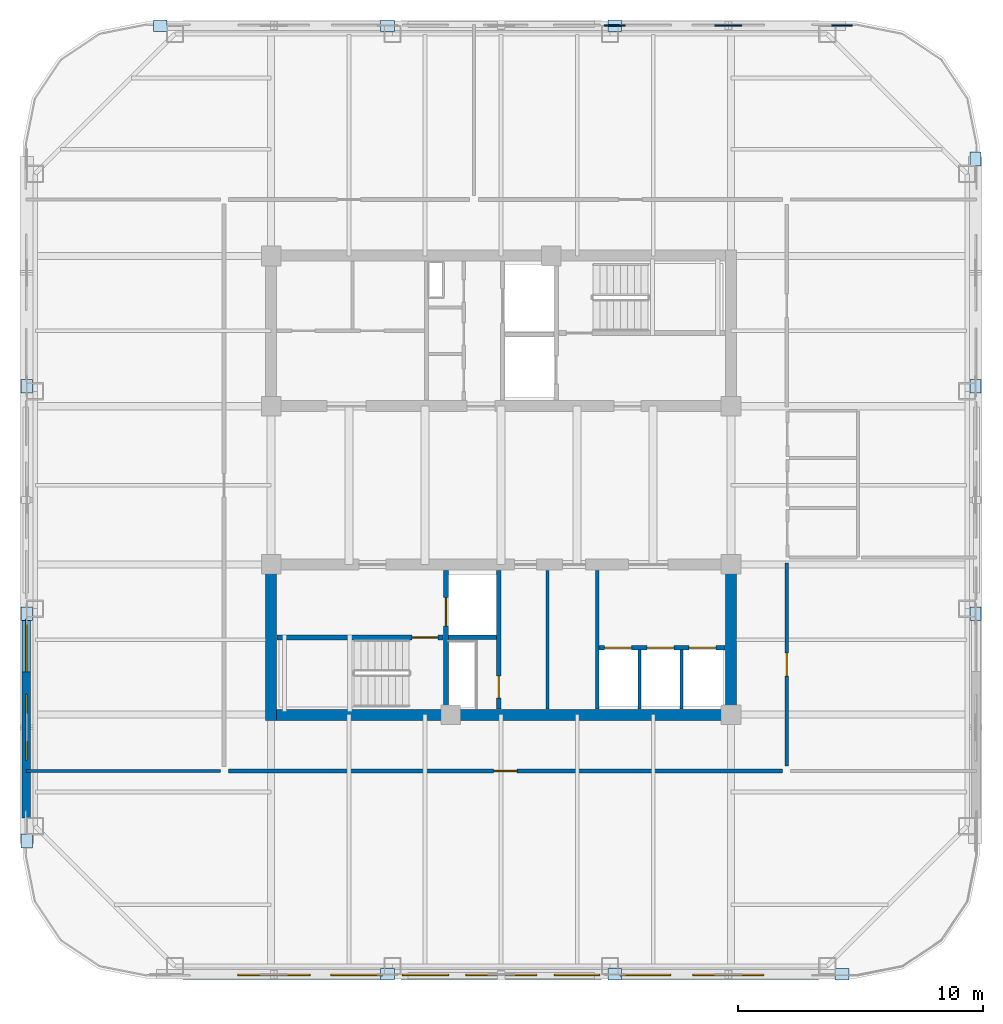
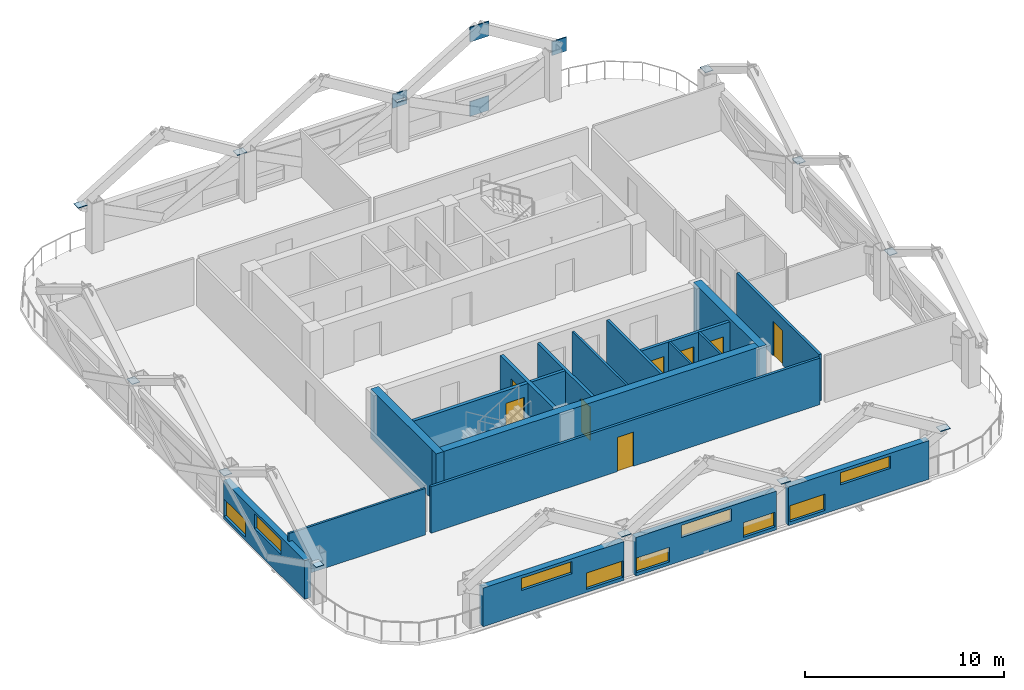
# One storey, part 3 of 9: 19 walls, 16 plates, 9 windows, 8 doors, 17 openings.
"""IFC4 building model written with IfcOpenShell, lengths in metres."""

from ifc_helpers import new_model, si_unit, direction, frame, frame_2d, origin, origin_2d, place, context, subcontext, project, spatial, rectangle, extrude, material, layer, layer_set, type_object, element, fill, save


model = new_model("IFC4")

# Units and contexts
model_context = context("Model", 3, precision=1e-05, world=origin(), true_north=direction((0.0, 1.0)))
body_context = subcontext(model_context, "Body", "Model", "MODEL_VIEW")
ifc_project = project(units=[si_unit("LENGTHUNIT", "METRE"), si_unit("AREAUNIT", "SQUARE_METRE"), si_unit("VOLUMEUNIT", "CUBIC_METRE"), si_unit("PLANEANGLEUNIT", "RADIAN"), si_unit("MASSUNIT", "GRAM", prefix="KILO")], contexts=[model_context])

# Site, building, storey
site_placement = place(None, origin())
site = spatial("IfcSite", under=ifc_project, at=site_placement, CompositionType="ELEMENT")
building_placement = place(site_placement, origin())
building = spatial("IfcBuilding", under=site, at=building_placement, Name="Qhalaya Broadcast Tower", CompositionType="ELEMENT")
storey_placement = place(building_placement, frame((0.0, 0.0, 205.60009765625)))
storey = spatial("IfcBuildingStorey", under=building, at=storey_placement, Name="L60", CompositionType="ELEMENT", Elevation=205.60009765625)

# Plates
ifc_material_1 = material(Name="Structural Steel ASTM A572 Grade 50", Category="steel")
ifc_layer_1 = layer(ifc_material_1, 0.054931640625, Name="Structural Steel ASTM A572 Grade 50")
ifc_layer_set_1 = layer_set([ifc_layer_1], Name="Structural Steel ASTM A572 Grade 50")
plate_type_1 = type_object("IfcPlateType", Name="Exoskeleton Diamond Node Gusset Plate NP-01", PredefinedType="USERDEFINED", material=ifc_layer_set_1)
for number, where, z_axis, x_axis, name in (
    (1, (9.2666015625, 19.340087890625, 0.2099609375), (0.0, 0.0, 1.0), (1.0, 0.0, 0.0), "Exoskeleton Diamond Node B5-N1-BOT"),
    (2, (9.2666015625, 19.340087890625, 4.780029296875), (0.0, 0.0, 1.0), (1.0, 0.0, 0.0), "Exoskeleton Diamond Node B5-N1-TOP"),
):
    element("IfcPlate", number, at=place(storey_placement, frame(where, z_axis=z_axis, x_axis=x_axis)), inside=storey, type_object=plate_type_1, Name=name, ObjectType="GUSSET_PLATE", PredefinedType="USERDEFINED", context=body_context, shape_type="SweptSolid", body=[
        extrude(rectangle(XDim=1.10009765625, YDim=0.054931640625, at=origin_2d()), origin(), (0.0, 0.0, 1.0), 0.89990234375),
    ])
for number, where, z_axis, x_axis, name in (
    (3, (13.89990234375, 19.340087890625, 2.27978515625), (0.0, 0.0, 1.0), (1.0, 0.0, 0.0), "Exoskeleton Diamond Node B5-N1-MDL"),
    (4, (4.63330078125, 19.340087890625, 2.27978515625), (0.0, 0.0, 1.0), (1.0, 0.0, 0.0), "Exoskeleton Diamond Node B5-N2-MDL"),
):
    element("IfcPlate", number, at=place(storey_placement, frame(where, z_axis=z_axis, x_axis=x_axis)), inside=storey, type_object=plate_type_1, Name=name, ObjectType="GUSSET_PLATE", PredefinedType="USERDEFINED", context=body_context, shape_type="SweptSolid", body=[
        extrude(rectangle(XDim=0.85009765625, YDim=0.054931640625, at=origin_2d()), origin(), (0.0, 0.0, 1.0), 0.85009765625),
    ])
ifc_layer_2 = layer(ifc_material_1, 0.4599609375, Name="Structural Steel ASTM A572 Grade 50")
ifc_layer_set_2 = layer_set([ifc_layer_2], Name="Structural Steel ASTM A572 Grade 50")
plate_type_2 = type_object("IfcPlateType", Name="Hollow Box Member End Cap Plate CP-01", PredefinedType="USERDEFINED", material=ifc_layer_set_2)
for number, where, z_axis, x_axis, name in (
    (5, (-4.63330078125, -19.340087890625, 2.68896484375), (0.0, 0.0, 1.0), (1.0, 0.0, 0.0), "Exoskeleton Hollow End Cap B5-S1"),
    (6, (4.63330078125, -19.340087890625, 2.68896484375), (0.0, 0.0, 1.0), (1.0, 0.0, 0.0), "Exoskeleton Hollow End Cap B5-S2"),
    (7, (13.89990234375, -19.340087890625, 2.68896484375), (0.0, 0.0, 1.0), (1.0, 0.0, 0.0), "Exoskeleton Hollow End Cap B5-S3"),
    (8, (19.340087890625, -4.63330078125, 2.68896484375), (0.0, 0.0, 1.0), (0.0, 1.0, 0.0), "Exoskeleton Hollow End Cap B5-E1"),
    (9, (19.340087890625, 4.63330078125, 2.68896484375), (0.0, 0.0, 1.0), (0.0, 1.0, 0.0), "Exoskeleton Hollow End Cap B5-E2"),
    (10, (19.340087890625, 13.89990234375, 2.68896484375), (0.0, 0.0, 1.0), (0.0, 1.0, 0.0), "Exoskeleton Hollow End Cap B5-E3"),
    (11, (4.63330078125, 19.340087890625, 2.68896484375), (0.0, 0.0, 1.0), (1.0, 0.0, 0.0), "Exoskeleton Hollow End Cap B5-N1"),
    (12, (-4.63330078125, 19.340087890625, 2.68896484375), (0.0, 0.0, 1.0), (1.0, 0.0, 0.0), "Exoskeleton Hollow End Cap B5-N2"),
    (13, (-13.89990234375, 19.340087890625, 2.68896484375), (0.0, 0.0, 1.0), (1.0, 0.0, 0.0), "Exoskeleton Hollow End Cap B5-N3"),
    (14, (-19.340087890625, 4.63330078125, 2.68896484375), (0.0, 0.0, 1.0), (0.0, 1.0, 0.0), "Exoskeleton Hollow End Cap B5-W1"),
    (15, (-19.340087890625, -4.63330078125, 2.68896484375), (0.0, 0.0, 1.0), (0.0, 1.0, 0.0), "Exoskeleton Hollow End Cap B5-W2"),
    (16, (-19.340087890625, -13.89990234375, 2.68896484375), (0.0, 0.0, 1.0), (0.0, 1.0, 0.0), "Exoskeleton Hollow End Cap B5-W3"),
):
    element("IfcPlate", number, at=place(storey_placement, frame(where, z_axis=z_axis, x_axis=x_axis)), inside=storey, type_object=plate_type_2, Name=name, ObjectType="COVER_PLATE", PredefinedType="USERDEFINED", context=body_context, shape_type="SweptSolid", body=[
        extrude(rectangle(XDim=0.56005859375, YDim=0.4599609375, at=origin_2d()), origin(), (0.0, 0.0, 1.0), 0.031982421875),
    ])

# Wall
ifc_material_2 = material(Name="Gypsum Acoustic Partition")
ifc_layer_3 = layer(ifc_material_2, 0.14990234375, Name="Gypsum Acoustic Partition")
ifc_layer_set_3 = layer_set([ifc_layer_3], Name="Gypsum Acoustic Partition")
wall_type_1 = type_object("IfcWallType", Name="Corridor & Tenancy Acoustic Partition 150", PredefinedType="PARTITIONING", material=ifc_layer_set_3)
wall_1_placement = place(storey_placement, frame((3.919921875, -8.530029296875, 0.0), z_axis=(0.0, 0.0, 1.0), x_axis=(0.0, 1.0, 0.0)))
element("IfcWall", 17, at=wall_1_placement, inside=storey, type_object=wall_type_1, Name="L60 Partition Wall SCW-HSEP", PredefinedType="PARTITIONING", context=body_context, shape_type="SweptSolid", body=[
    extrude(rectangle(XDim=5.659912109375, YDim=0.14990234375, at=frame_2d((2.830078125, 0.0))), origin(), (0.0, 0.0, 1.0), 2.85986328125),
])

# Wall, opening, door
wall_2_placement = place(storey_placement, frame((-11.1201171875, -11.050048828125, 0.0), z_axis=(0.0, 0.0, 1.0), x_axis=(1.0, 0.0, 0.0)))
wall_2 = element("IfcWall", 18, at=wall_2_placement, inside=storey, type_object=wall_type_1, Name="L60 Partition Wall W-COR-03", PredefinedType="PARTITIONING", context=body_context, shape_type="SweptSolid", body=[
    extrude(rectangle(XDim=22.590087890625, YDim=0.14990234375, at=frame_2d((11.294921875, 0.0))), origin(), (0.0, 0.0, 1.0), 2.85986328125),
])
opening_1_placement = place(wall_2_placement, frame((10.820068359375, 0.0, 0.0)))
opening_1 = element("IfcOpeningElement", 19, at=opening_1_placement, cuts=wall_2, Name="Opening D10", PredefinedType="OPENING", context=body_context, shape_type="SweptSolid", body=[
    extrude(rectangle(XDim=0.949951171875, YDim=2.10009765625, at=frame_2d((0.47509765625, 1.050048828125))), frame((0.0, 0.0869140625, 0.0), z_axis=(0.0, -1.0, 0.0), x_axis=(1.0, 0.0, 0.0)), (0.0, 0.0, 1.0), 0.173828125),
])
ifc_material_3 = material(Name="Timber Veneer Acoustic Door", Category="wood")
door_type_1 = type_object("IfcDoorType", Name="Cellular Office & Edit Booth Door D10", OperationType="NOTDEFINED", PredefinedType="DOOR", material=ifc_material_3)
door_1_placement = place(opening_1_placement, origin())
door_1 = element("IfcDoor", 20, at=door_1_placement, inside=storey, type_object=door_type_1, Name="L60 Door D-RM03", OperationType="SINGLE_SWING_RIGHT", OverallHeight=2.10009765625, OverallWidth=0.949951171875, PredefinedType="DOOR", context=body_context, shape_type="SweptSolid", body=[
    extrude(rectangle(XDim=0.949951171875, YDim=2.10009765625, at=frame_2d((0.47509765625, 1.050048828125))), frame((0.0, 0.02490234375, 0.0), z_axis=(0.0, -1.0, 0.0), x_axis=(1.0, 0.0, 0.0)), (0.0, 0.0, 1.0), 0.050048828125),
])
fill(opening_1, door_1)

wall_3_placement = place(storey_placement, frame((11.64990234375, -10.85009765625, 0.0), z_axis=(0.0, 0.0, 1.0), x_axis=(0.0, 1.0, 0.0)))
wall_3 = element("IfcWall", 21, at=wall_3_placement, inside=storey, type_object=wall_type_1, Name="L60 Partition Wall W-COR-05", PredefinedType="PARTITIONING", context=body_context, shape_type="SweptSolid", body=[
    extrude(rectangle(XDim=8.2900390625, YDim=0.14990234375, at=frame_2d((4.14501953125, 0.0))), origin(), (0.0, 0.0, 1.0), 2.85986328125),
])
opening_2_placement = place(wall_3_placement, frame((3.669921875, 0.0, 0.0)))
opening_2 = element("IfcOpeningElement", 22, at=opening_2_placement, cuts=wall_3, Name="Opening D10", PredefinedType="OPENING", context=body_context, shape_type="SweptSolid", body=[
    extrude(rectangle(XDim=0.949951171875, YDim=2.10009765625, at=frame_2d((0.47509765625, 1.050048828125))), frame((0.0, 0.0869140625, 0.0), z_axis=(0.0, -1.0, 0.0), x_axis=(1.0, 0.0, 0.0)), (0.0, 0.0, 1.0), 0.173828125),
])
door_2_placement = place(opening_2_placement, origin())
door_2 = element("IfcDoor", 23, at=door_2_placement, inside=storey, type_object=door_type_1, Name="L60 Door D-RM05", OperationType="SINGLE_SWING_RIGHT", OverallHeight=2.10009765625, OverallWidth=0.949951171875, PredefinedType="DOOR", context=body_context, shape_type="SweptSolid", body=[
    extrude(rectangle(XDim=0.949951171875, YDim=2.10009765625, at=frame_2d((0.47509765625, 1.050048828125))), frame((0.0, 0.02490234375, 0.0), z_axis=(0.0, -1.0, 0.0), x_axis=(1.0, 0.0, 0.0)), (0.0, 0.0, 1.0), 0.050048828125),
])
fill(opening_2, door_2)

# Wall, openings, windows
ifc_material_4 = material(Name="Precast Concrete C40/50", Category="concrete")
ifc_layer_4 = layer(ifc_material_4, 0.360107421875, Name="Precast Concrete C40/50")
ifc_layer_set_4 = layer_set([ifc_layer_4], Name="Precast Concrete C40/50")
wall_type_2 = type_object("IfcWallType", Name="Insulated Precast Terracotta Exterior Wall 360", PredefinedType="SOLIDWALL", material=ifc_layer_set_4)
wall_4_placement = place(storey_placement, frame((12.9619140625, -19.360107421875, 0.0), z_axis=(0.0, 0.0, 1.0), x_axis=(-1.0, 0.0, 0.0)))
wall_4 = element("IfcWall", 24, at=wall_4_placement, inside=storey, type_object=wall_type_2, Name="L60 Exoskeleton Diagrid Infill Wall S1", PredefinedType="SOLIDWALL", context=body_context, shape_type="SweptSolid", body=[
    extrude(rectangle(XDim=8.1787109375, YDim=0.360107421875, at=frame_2d((4.08935546875, 0.0))), origin(), (0.0, 0.0, 1.0), 2.3740234375),
])
opening_3_placement = place(wall_4_placement, frame((2.25, 0.0, 1.449951171875)))
opening_3 = element("IfcOpeningElement", 25, at=opening_3_placement, cuts=wall_4, Name="Opening W13", PredefinedType="OPENING", context=body_context, shape_type="SweptSolid", body=[
    extrude(rectangle(XDim=2.89990234375, YDim=0.75, at=frame_2d((1.449951171875, 0.375))), frame((0.0, 0.192138671875, 0.0), z_axis=(0.0, -1.0, 0.0), x_axis=(1.0, 0.0, 0.0)), (0.0, 0.0, 1.0), 0.384033203125),
])
opening_4_placement = place(wall_4_placement, frame((6.050048828125, 0.0, 0.199951171875)))
opening_4 = element("IfcOpeningElement", 26, at=opening_4_placement, cuts=wall_4, Name="Opening W13", PredefinedType="OPENING", context=body_context, shape_type="SweptSolid", body=[
    extrude(rectangle(XDim=2.050048828125, YDim=1.0, at=frame_2d((1.02490234375, 0.5))), frame((0.0, 0.192138671875, 0.0), z_axis=(0.0, -1.0, 0.0), x_axis=(1.0, 0.0, 0.0)), (0.0, 0.0, 1.0), 0.384033203125),
])
ifc_material_5 = material(Name="Solar-Control Low-E Triple Glazing", Category="glass")
window_type = type_object("IfcWindowType", Name="Upper-Block Diagrid Infill Window W13", PartitioningType="SINGLE_PANEL", PredefinedType="WINDOW", material=ifc_material_5)
window_1_placement = place(opening_3_placement, origin())
window_1 = element("IfcWindow", 27, at=window_1_placement, inside=storey, type_object=window_type, Name="L60 Diagrid Infill Window W13-S1", OverallHeight=0.75, OverallWidth=2.89990234375, PartitioningType="SINGLE_PANEL", PredefinedType="WINDOW", context=body_context, shape_type="SweptSolid", body=[
    extrude(rectangle(XDim=2.89990234375, YDim=0.75, at=frame_2d((1.449951171875, 0.375))), frame((0.0, 0.030029296875, 0.0), z_axis=(0.0, -1.0, 0.0), x_axis=(1.0, 0.0, 0.0)), (0.0, 0.0, 1.0), 0.06005859375),
])
fill(opening_3, window_1)
window_2_placement = place(opening_4_placement, origin())
window_2 = element("IfcWindow", 28, at=window_2_placement, inside=storey, type_object=window_type, Name="L60 Diagrid Infill Window W13-S2", OverallHeight=1.0, OverallWidth=2.050048828125, PartitioningType="SINGLE_PANEL", PredefinedType="WINDOW", context=body_context, shape_type="SweptSolid", body=[
    extrude(rectangle(XDim=2.050048828125, YDim=1.0, at=frame_2d((1.02490234375, 0.5))), frame((0.0, 0.030029296875, 0.0), z_axis=(0.0, -1.0, 0.0), x_axis=(1.0, 0.0, 0.0)), (0.0, 0.0, 1.0), 0.06005859375),
])
fill(opening_4, window_2)

wall_5_placement = place(storey_placement, frame((4.083251953125, -19.360107421875, 0.0), z_axis=(0.0, 0.0, 1.0), x_axis=(-1.0, 0.0, 0.0)))
wall_5 = element("IfcWall", 29, at=wall_5_placement, inside=storey, type_object=wall_type_2, Name="L60 Exoskeleton Diagrid Infill Wall S2", PredefinedType="SOLIDWALL", context=body_context, shape_type="SweptSolid", body=[
    extrude(rectangle(XDim=8.16650390625, YDim=0.360107421875, at=frame_2d((4.083251953125, 0.0))), origin(), (0.0, 0.0, 1.0), 2.3740234375),
])
opening_5_placement = place(wall_5_placement, frame((0.071044921875, 0.0, 0.199951171875)))
opening_5 = element("IfcOpeningElement", 30, at=opening_5_placement, cuts=wall_5, Name="Opening W13", PredefinedType="OPENING", context=body_context, shape_type="SweptSolid", body=[
    extrude(rectangle(XDim=1.85009765625, YDim=0.89990234375, at=frame_2d((0.925048828125, 0.449951171875))), frame((0.0, 0.192138671875, 0.0), z_axis=(0.0, -1.0, 0.0), x_axis=(1.0, 0.0, 0.0)), (0.0, 0.0, 1.0), 0.384033203125),
])
opening_6_placement = place(wall_5_placement, frame((2.62109375, 0.0, 1.449951171875)))
opening_6 = element("IfcOpeningElement", 31, at=opening_6_placement, cuts=wall_5, Name="Opening W13", PredefinedType="OPENING", context=body_context, shape_type="SweptSolid", body=[
    extrude(rectangle(XDim=2.89990234375, YDim=0.75, at=frame_2d((1.449951171875, 0.375))), frame((0.0, 0.192138671875, 0.0), z_axis=(0.0, -1.0, 0.0), x_axis=(1.0, 0.0, 0.0)), (0.0, 0.0, 1.0), 0.384033203125),
])
opening_7_placement = place(wall_5_placement, frame((6.220947265625, 0.0, 0.199951171875)))
opening_7 = element("IfcOpeningElement", 32, at=opening_7_placement, cuts=wall_5, Name="Opening W13", PredefinedType="OPENING", context=body_context, shape_type="SweptSolid", body=[
    extrude(rectangle(XDim=1.89990234375, YDim=0.89990234375, at=frame_2d((0.949951171875, 0.449951171875))), frame((0.0, 0.192138671875, 0.0), z_axis=(0.0, -1.0, 0.0), x_axis=(1.0, 0.0, 0.0)), (0.0, 0.0, 1.0), 0.384033203125),
])
window_3_placement = place(opening_5_placement, origin())
window_3 = element("IfcWindow", 33, at=window_3_placement, inside=storey, type_object=window_type, Name="L60 Diagrid Infill Window W13-S3", OverallHeight=0.89990234375, OverallWidth=1.85009765625, PartitioningType="SINGLE_PANEL", PredefinedType="WINDOW", context=body_context, shape_type="SweptSolid", body=[
    extrude(rectangle(XDim=1.85009765625, YDim=0.89990234375, at=frame_2d((0.925048828125, 0.449951171875))), frame((0.0, 0.030029296875, 0.0), z_axis=(0.0, -1.0, 0.0), x_axis=(1.0, 0.0, 0.0)), (0.0, 0.0, 1.0), 0.06005859375),
])
fill(opening_5, window_3)
window_4_placement = place(opening_6_placement, origin())
window_4 = element("IfcWindow", 34, at=window_4_placement, inside=storey, type_object=window_type, Name="L60 Diagrid Infill Window W13-S4", OverallHeight=0.75, OverallWidth=2.89990234375, PartitioningType="SINGLE_PANEL", PredefinedType="WINDOW", context=body_context, shape_type="SweptSolid", body=[
    extrude(rectangle(XDim=2.89990234375, YDim=0.75, at=frame_2d((1.449951171875, 0.375))), frame((0.0, 0.030029296875, 0.0), z_axis=(0.0, -1.0, 0.0), x_axis=(1.0, 0.0, 0.0)), (0.0, 0.0, 1.0), 0.06005859375),
])
fill(opening_6, window_4)
window_5_placement = place(opening_7_placement, origin())
window_5 = element("IfcWindow", 35, at=window_5_placement, inside=storey, type_object=window_type, Name="L60 Diagrid Infill Window W13-S5", OverallHeight=0.89990234375, OverallWidth=1.89990234375, PartitioningType="SINGLE_PANEL", PredefinedType="WINDOW", context=body_context, shape_type="SweptSolid", body=[
    extrude(rectangle(XDim=1.89990234375, YDim=0.89990234375, at=frame_2d((0.949951171875, 0.449951171875))), frame((0.0, 0.030029296875, 0.0), z_axis=(0.0, -1.0, 0.0), x_axis=(1.0, 0.0, 0.0)), (0.0, 0.0, 1.0), 0.06005859375),
])
fill(opening_7, window_5)

wall_6_placement = place(storey_placement, frame((-4.783203125, -19.360107421875, 0.0), z_axis=(0.0, 0.0, 1.0), x_axis=(-1.0, 0.0, 0.0)))
wall_6 = element("IfcWall", 36, at=wall_6_placement, inside=storey, type_object=wall_type_2, Name="L60 Exoskeleton Diagrid Infill Wall S3", PredefinedType="SOLIDWALL", context=body_context, shape_type="SweptSolid", body=[
    extrude(rectangle(XDim=8.1787109375, YDim=0.360107421875, at=frame_2d((4.08935546875, 0.0))), origin(), (0.0, 0.0, 1.0), 2.3740234375),
])
opening_8_placement = place(wall_6_placement, frame((0.054931640625, 0.0, 0.199951171875)))
opening_8 = element("IfcOpeningElement", 37, at=opening_8_placement, cuts=wall_6, Name="Opening W13", PredefinedType="OPENING", context=body_context, shape_type="SweptSolid", body=[
    extrude(rectangle(XDim=2.10009765625, YDim=1.0, at=frame_2d((1.050048828125, 0.5))), frame((0.0, 0.192138671875, 0.0), z_axis=(0.0, -1.0, 0.0), x_axis=(1.0, 0.0, 0.0)), (0.0, 0.0, 1.0), 0.384033203125),
])
opening_9_placement = place(wall_6_placement, frame((3.0048828125, 0.0, 1.449951171875)))
opening_9 = element("IfcOpeningElement", 38, at=opening_9_placement, cuts=wall_6, Name="Opening W13", PredefinedType="OPENING", context=body_context, shape_type="SweptSolid", body=[
    extrude(rectangle(XDim=2.949951171875, YDim=0.75, at=frame_2d((1.47509765625, 0.375))), frame((0.0, 0.192138671875, 0.0), z_axis=(0.0, -1.0, 0.0), x_axis=(1.0, 0.0, 0.0)), (0.0, 0.0, 1.0), 0.384033203125),
])
window_6_placement = place(opening_8_placement, origin())
window_6 = element("IfcWindow", 39, at=window_6_placement, inside=storey, type_object=window_type, Name="L60 Diagrid Infill Window W13-S6", OverallHeight=1.0, OverallWidth=2.10009765625, PartitioningType="SINGLE_PANEL", PredefinedType="WINDOW", context=body_context, shape_type="SweptSolid", body=[
    extrude(rectangle(XDim=2.10009765625, YDim=1.0, at=frame_2d((1.050048828125, 0.5))), frame((0.0, 0.030029296875, 0.0), z_axis=(0.0, -1.0, 0.0), x_axis=(1.0, 0.0, 0.0)), (0.0, 0.0, 1.0), 0.06005859375),
])
fill(opening_8, window_6)
window_7_placement = place(opening_9_placement, origin())
window_7 = element("IfcWindow", 40, at=window_7_placement, inside=storey, type_object=window_type, Name="L60 Diagrid Infill Window W13-S7", OverallHeight=0.75, OverallWidth=2.949951171875, PartitioningType="SINGLE_PANEL", PredefinedType="WINDOW", context=body_context, shape_type="SweptSolid", body=[
    extrude(rectangle(XDim=2.949951171875, YDim=0.75, at=frame_2d((1.47509765625, 0.375))), frame((0.0, 0.030029296875, 0.0), z_axis=(0.0, -1.0, 0.0), x_axis=(1.0, 0.0, 0.0)), (0.0, 0.0, 1.0), 0.06005859375),
])
fill(opening_9, window_7)

wall_7_placement = place(storey_placement, frame((-19.360107421875, -12.9619140625, 0.0), z_axis=(0.0, 0.0, 1.0), x_axis=(0.0, 1.0, 0.0)))
wall_7 = element("IfcWall", 41, at=wall_7_placement, inside=storey, type_object=wall_type_2, Name="L60 Exoskeleton Diagrid Infill Wall W1", PredefinedType="SOLIDWALL", context=body_context, shape_type="SweptSolid", body=[
    extrude(rectangle(XDim=8.1787109375, YDim=0.360107421875, at=frame_2d((4.08935546875, 0.0))), origin(), (0.0, 0.0, 1.0), 2.3740234375),
])
opening_10_placement = place(wall_7_placement, frame((2.35009765625, 0.0, 1.300048828125)))
opening_10 = element("IfcOpeningElement", 42, at=opening_10_placement, cuts=wall_7, Name="Opening W13", PredefinedType="OPENING", context=body_context, shape_type="SweptSolid", body=[
    extrude(rectangle(XDim=2.699951171875, YDim=0.89990234375, at=frame_2d((1.35009765625, 0.449951171875))), frame((0.0, 0.192138671875, 0.0), z_axis=(0.0, -1.0, 0.0), x_axis=(1.0, 0.0, 0.0)), (0.0, 0.0, 1.0), 0.384033203125),
])
opening_11_placement = place(wall_7_placement, frame((5.949951171875, 0.0, 0.199951171875)))
opening_11 = element("IfcOpeningElement", 43, at=opening_11_placement, cuts=wall_7, Name="Opening W13", PredefinedType="OPENING", context=body_context, shape_type="SweptSolid", body=[
    extrude(rectangle(XDim=2.14990234375, YDim=1.050048828125, at=frame_2d((1.074951171875, 0.52490234375))), frame((0.0, 0.192138671875, 0.0), z_axis=(0.0, -1.0, 0.0), x_axis=(1.0, 0.0, 0.0)), (0.0, 0.0, 1.0), 0.384033203125),
])
window_8_placement = place(opening_10_placement, origin())
window_8 = element("IfcWindow", 44, at=window_8_placement, inside=storey, type_object=window_type, Name="L60 Diagrid Infill Window W13-W1", OverallHeight=0.89990234375, OverallWidth=2.699951171875, PartitioningType="SINGLE_PANEL", PredefinedType="WINDOW", context=body_context, shape_type="SweptSolid", body=[
    extrude(rectangle(XDim=2.699951171875, YDim=0.89990234375, at=frame_2d((1.35009765625, 0.449951171875))), frame((0.0, 0.030029296875, 0.0), z_axis=(0.0, -1.0, 0.0), x_axis=(1.0, 0.0, 0.0)), (0.0, 0.0, 1.0), 0.06005859375),
])
fill(opening_10, window_8)
window_9_placement = place(opening_11_placement, origin())
window_9 = element("IfcWindow", 45, at=window_9_placement, inside=storey, type_object=window_type, Name="L60 Diagrid Infill Window W13-W2", OverallHeight=1.050048828125, OverallWidth=2.14990234375, PartitioningType="SINGLE_PANEL", PredefinedType="WINDOW", context=body_context, shape_type="SweptSolid", body=[
    extrude(rectangle(XDim=2.14990234375, YDim=1.050048828125, at=frame_2d((1.074951171875, 0.52490234375))), frame((0.0, 0.030029296875, 0.0), z_axis=(0.0, -1.0, 0.0), x_axis=(1.0, 0.0, 0.0)), (0.0, 0.0, 1.0), 0.06005859375),
])
fill(opening_11, window_9)

# Wall, opening, door
ifc_material_6 = material(Name="Concrete C50/60", Category="concrete")
ifc_layer_5 = layer(ifc_material_6, 0.199951171875, Name="Concrete C50/60")
ifc_layer_set_5 = layer_set([ifc_layer_5], Name="Concrete C50/60")
wall_type_3 = type_object("IfcWallType", Name="Load-Bearing Stair Shaft Wall 200", PredefinedType="SHEAR", material=ifc_layer_set_5)
wall_8_placement = place(storey_placement, frame((-9.1298828125, -5.60498046875, 0.0), z_axis=(0.0, 0.0, 1.0), x_axis=(1.0, 0.0, 0.0)))
wall_8 = element("IfcWall", 46, at=wall_8_placement, inside=storey, type_object=wall_type_3, Name="L60 Stair Core Shear Wall SCW-ST2", PredefinedType="SHEAR", context=body_context, shape_type="SweptSolid", body=[
    extrude(rectangle(XDim=6.769775390625, YDim=0.199951171875, at=frame_2d((3.384765625, 0.0))), origin(), (0.0, 0.0, 1.0), 2.85986328125),
])
opening_12_placement = place(wall_8_placement, frame((5.5, 0.0, 0.0)))
opening_12 = element("IfcOpeningElement", 47, at=opening_12_placement, cuts=wall_8, Name="Opening D03", PredefinedType="OPENING", context=body_context, shape_type="SweptSolid", body=[
    extrude(rectangle(XDim=1.050048828125, YDim=2.080078125, at=frame_2d((0.52490234375, 1.0400390625))), frame((0.0, 0.112060546875, 0.0), z_axis=(0.0, -1.0, 0.0), x_axis=(1.0, 0.0, 0.0)), (0.0, 0.0, 1.0), 0.223876953125),
])
ifc_material_7 = material(Name="Fire-Rated Steel Door", Category="steel")
door_type_2 = type_object("IfcDoorType", Name="Core Stair Protected Fire Door D03", OperationType="NOTDEFINED", PredefinedType="DOOR", material=ifc_material_7)
door_3_placement = place(opening_12_placement, origin())
door_3 = element("IfcDoor", 48, at=door_3_placement, inside=storey, type_object=door_type_2, Name="L60 Door D-SST2", OperationType="SINGLE_SWING_RIGHT", OverallHeight=2.080078125, OverallWidth=1.050048828125, PredefinedType="DOOR", context=body_context, shape_type="SweptSolid", body=[
    extrude(rectangle(XDim=1.050048828125, YDim=2.080078125, at=frame_2d((0.52490234375, 1.0400390625))), frame((0.0, 0.02490234375, 0.0), z_axis=(0.0, -1.0, 0.0), x_axis=(1.0, 0.0, 0.0)), (0.0, 0.0, 1.0), 0.050048828125),
])
fill(opening_12, door_3)

wall_9_placement = place(storey_placement, frame((-2.25, -8.530029296875, 0.0), z_axis=(0.0, 0.0, 1.0), x_axis=(0.0, 1.0, 0.0)))
wall_9 = element("IfcWall", 49, at=wall_9_placement, inside=storey, type_object=wall_type_3, Name="L60 Stair Core Shear Wall SCW-FF", PredefinedType="SHEAR", context=body_context, shape_type="SweptSolid", body=[
    extrude(rectangle(XDim=5.659912109375, YDim=0.199951171875, at=frame_2d((2.830078125, 0.0))), origin(), (0.0, 0.0, 1.0), 2.85986328125),
])
opening_13_placement = place(wall_9_placement, frame((3.39990234375, 0.0, 0.0)))
opening_13 = element("IfcOpeningElement", 50, at=opening_13_placement, cuts=wall_9, Name="Opening LD2", PredefinedType="OPENING", context=body_context, shape_type="SweptSolid", body=[
    extrude(rectangle(XDim=1.14990234375, YDim=2.080078125, at=frame_2d((0.574951171875, 1.0400390625))), frame((0.0, 0.112060546875, 0.0), z_axis=(0.0, -1.0, 0.0), x_axis=(1.0, 0.0, 0.0)), (0.0, 0.0, 1.0), 0.223876953125),
])
ifc_material_8 = material(Name="Brushed Stainless Steel Lift Door", Category="steel")
door_type_3 = type_object("IfcDoorType", Name="Firefighting Lift Sliding Landing Door LD2", OperationType="DOUBLE_DOOR_SLIDING", PredefinedType="DOOR", material=ifc_material_8)
door_4_placement = place(opening_13_placement, origin())
door_4 = element("IfcDoor", 51, at=door_4_placement, inside=storey, type_object=door_type_3, Name="L60 Door LD-FF2", OperationType="DOUBLE_DOOR_SLIDING", OverallHeight=2.080078125, OverallWidth=1.14990234375, PredefinedType="DOOR", context=body_context, shape_type="SweptSolid", body=[
    extrude(rectangle(XDim=1.14990234375, YDim=2.080078125, at=frame_2d((0.574951171875, 1.0400390625))), frame((0.0, 0.02490234375, 0.0), z_axis=(0.0, -1.0, 0.0), x_axis=(1.0, 0.0, 0.0)), (0.0, 0.0, 1.0), 0.050048828125),
])
fill(opening_13, door_4)

# Walls
ifc_layer_6 = layer(ifc_material_2, 0.1201171875, Name="Gypsum Acoustic Partition")
ifc_layer_set_6 = layer_set([ifc_layer_6], Name="Gypsum Acoustic Partition")
wall_type_4 = type_object("IfcWallType", Name="Office, Booth & Sanitary Partition 120", PredefinedType="PARTITIONING", material=ifc_layer_set_6)
wall_10_placement = place(storey_placement, frame((1.89990234375, -8.530029296875, 0.0), z_axis=(0.0, 0.0, 1.0), x_axis=(0.0, 1.0, 0.0)))
element("IfcWall", 52, at=wall_10_placement, inside=storey, type_object=wall_type_4, Name="L60 Partition Wall SCW-RKB", PredefinedType="PARTITIONING", context=body_context, shape_type="SweptSolid", body=[
    extrude(rectangle(XDim=5.659912109375, YDim=0.1201171875, at=frame_2d((2.830078125, 0.0))), origin(), (0.0, 0.0, 1.0), 2.85986328125),
])
for number, where, z_axis, x_axis, name in (
    (53, (5.639892578125, -8.530029296875, 0.0), (0.0, 0.0, 1.0), (0.0, 1.0, 0.0), "L60 Partition Wall SCW-HD6"),
    (54, (7.360107421875, -8.530029296875, 0.0), (0.0, 0.0, 1.0), (0.0, 1.0, 0.0), "L60 Partition Wall SCW-HD7"),
):
    element("IfcWall", number, at=place(storey_placement, frame(where, z_axis=z_axis, x_axis=x_axis)), inside=storey, type_object=wall_type_4, Name=name, PredefinedType="PARTITIONING", context=body_context, shape_type="SweptSolid", body=[
        extrude(rectangle(XDim=2.429931640625, YDim=0.1201171875, at=frame_2d((1.21484375, 0.0))), origin(), (0.0, 0.0, 1.0), 2.85986328125),
    ])
wall_11_placement = place(storey_placement, frame((-19.3798828125, -11.050048828125, 0.0), z_axis=(0.0, 0.0, 1.0), x_axis=(1.0, 0.0, 0.0)))
element("IfcWall", 55, at=wall_11_placement, inside=storey, type_object=wall_type_4, Name="L60 Partition Wall W-BNDW2", PredefinedType="PARTITIONING", context=body_context, shape_type="SweptSolid", body=[
    extrude(rectangle(XDim=7.93994140625, YDim=0.1201171875, at=frame_2d((3.969970703125, 0.0))), origin(), (0.0, 0.0, 1.0), 2.85986328125),
])

# Wall, opening, door
ifc_layer_7 = layer(ifc_material_2, 0.175048828125, Name="Gypsum Acoustic Partition")
ifc_layer_set_7 = layer_set([ifc_layer_7], Name="Gypsum Acoustic Partition")
wall_type_5 = type_object("IfcWallType", Name="Shaft & Riser Fire Partition 175", PredefinedType="PARTITIONING", material=ifc_layer_set_7)
wall_12_placement = place(storey_placement, frame((-0.10009765625, -8.530029296875, 0.0), z_axis=(0.0, 0.0, 1.0), x_axis=(0.0, 1.0, 0.0)))
wall_12 = element("IfcWall", 56, at=wall_12_placement, inside=storey, type_object=wall_type_5, Name="L60 Partition Wall SCW-FFE", PredefinedType="PARTITIONING", context=body_context, shape_type="SweptSolid", body=[
    extrude(rectangle(XDim=5.659912109375, YDim=0.175048828125, at=frame_2d((2.830078125, 0.0))), origin(), (0.0, 0.0, 1.0), 2.85986328125),
])
opening_14_placement = place(wall_12_placement, frame((0.449951171875, 0.0, 0.0)))
opening_14 = element("IfcOpeningElement", 57, at=opening_14_placement, cuts=wall_12, Name="Opening D06", PredefinedType="OPENING", context=body_context, shape_type="SweptSolid", body=[
    extrude(rectangle(XDim=0.89990234375, YDim=2.050048828125, at=frame_2d((0.449951171875, 1.02490234375))), frame((0.0, 0.099609375, 0.0), z_axis=(0.0, -1.0, 0.0), x_axis=(1.0, 0.0, 0.0)), (0.0, 0.0, 1.0), 0.198974609375),
])
door_type_4 = type_object("IfcDoorType", Name="Riser & Electrical Shaft Access Door D06", OperationType="NOTDEFINED", PredefinedType="DOOR", material=ifc_material_7)
door_5_placement = place(opening_14_placement, origin())
door_5 = element("IfcDoor", 58, at=door_5_placement, inside=storey, type_object=door_type_4, Name="L60 Riser Shaft Access Door D-SRSR", OperationType="SINGLE_SWING_LEFT", OverallHeight=2.050048828125, OverallWidth=0.89990234375, PredefinedType="DOOR", context=body_context, shape_type="SweptSolid", body=[
    extrude(rectangle(XDim=0.89990234375, YDim=2.050048828125, at=frame_2d((0.449951171875, 1.02490234375))), frame((0.0, 0.02490234375, 0.0), z_axis=(0.0, -1.0, 0.0), x_axis=(1.0, 0.0, 0.0)), (0.0, 0.0, 1.0), 0.050048828125),
])
fill(opening_14, door_5)

# Wall
wall_13_placement = place(storey_placement, frame((-2.14990234375, -5.60009765625, 0.0), z_axis=(0.0, 0.0, 1.0), x_axis=(1.0, 0.0, 0.0)))
element("IfcWall", 59, at=wall_13_placement, inside=storey, type_object=wall_type_5, Name="L60 Partition Wall SCW-FFM", PredefinedType="PARTITIONING", context=body_context, shape_type="SweptSolid", body=[
    extrude(rectangle(XDim=1.969970703125, YDim=0.175048828125, at=frame_2d((0.98486328125, 0.0))), origin(), (0.0, 0.0, 1.0), 2.85986328125),
])

# Wall, openings, doors
wall_14_placement = place(storey_placement, frame((4.0, -6.02001953125, 0.0), z_axis=(0.0, 0.0, 1.0), x_axis=(1.0, 0.0, 0.0)))
wall_14 = element("IfcWall", 60, at=wall_14_placement, inside=storey, type_object=wall_type_5, Name="L60 Partition Wall SCW-SLB", PredefinedType="PARTITIONING", context=body_context, shape_type="SweptSolid", body=[
    extrude(rectangle(XDim=5.1298828125, YDim=0.175048828125, at=frame_2d((2.56494140625, 0.0))), origin(), (0.0, 0.0, 1.0), 2.85986328125),
])
opening_15_placement = place(wall_14_placement, frame((0.219970703125, 0.0, 0.0)))
opening_15 = element("IfcOpeningElement", 61, at=opening_15_placement, cuts=wall_14, Name="Opening LD1", PredefinedType="OPENING", context=body_context, shape_type="SweptSolid", body=[
    extrude(rectangle(XDim=1.10009765625, YDim=2.06005859375, at=frame_2d((0.550048828125, 1.030029296875))), frame((0.0, 0.099609375, 0.0), z_axis=(0.0, -1.0, 0.0), x_axis=(1.0, 0.0, 0.0)), (0.0, 0.0, 1.0), 0.198974609375),
])
opening_16_placement = place(wall_14_placement, frame((1.93994140625, 0.0, 0.0)))
opening_16 = element("IfcOpeningElement", 62, at=opening_16_placement, cuts=wall_14, Name="Opening LD1", PredefinedType="OPENING", context=body_context, shape_type="SweptSolid", body=[
    extrude(rectangle(XDim=1.10009765625, YDim=2.06005859375, at=frame_2d((0.550048828125, 1.030029296875))), frame((0.0, 0.099609375, 0.0), z_axis=(0.0, -1.0, 0.0), x_axis=(1.0, 0.0, 0.0)), (0.0, 0.0, 1.0), 0.198974609375),
])
opening_17_placement = place(wall_14_placement, frame((3.659912109375, 0.0, 0.0)))
opening_17 = element("IfcOpeningElement", 63, at=opening_17_placement, cuts=wall_14, Name="Opening LD1", PredefinedType="OPENING", context=body_context, shape_type="SweptSolid", body=[
    extrude(rectangle(XDim=1.10009765625, YDim=2.06005859375, at=frame_2d((0.550048828125, 1.030029296875))), frame((0.0, 0.099609375, 0.0), z_axis=(0.0, -1.0, 0.0), x_axis=(1.0, 0.0, 0.0)), (0.0, 0.0, 1.0), 0.198974609375),
])
door_type_5 = type_object("IfcDoorType", Name="Passenger Lift Sliding Landing Door LD1", OperationType="DOUBLE_DOOR_SLIDING", PredefinedType="DOOR", material=ifc_material_8)
door_6_placement = place(opening_15_placement, origin())
door_6 = element("IfcDoor", 64, at=door_6_placement, inside=storey, type_object=door_type_5, Name="L60 Door LD-P6", OperationType="DOUBLE_DOOR_SLIDING", OverallHeight=2.06005859375, OverallWidth=1.10009765625, PredefinedType="DOOR", context=body_context, shape_type="SweptSolid", body=[
    extrude(rectangle(XDim=1.10009765625, YDim=2.06005859375, at=frame_2d((0.550048828125, 1.030029296875))), frame((0.0, 0.02490234375, 0.0), z_axis=(0.0, -1.0, 0.0), x_axis=(1.0, 0.0, 0.0)), (0.0, 0.0, 1.0), 0.050048828125),
])
fill(opening_15, door_6)
door_7_placement = place(opening_16_placement, origin())
door_7 = element("IfcDoor", 65, at=door_7_placement, inside=storey, type_object=door_type_5, Name="L60 Door LD-P7", OperationType="DOUBLE_DOOR_SLIDING", OverallHeight=2.06005859375, OverallWidth=1.10009765625, PredefinedType="DOOR", context=body_context, shape_type="SweptSolid", body=[
    extrude(rectangle(XDim=1.10009765625, YDim=2.06005859375, at=frame_2d((0.550048828125, 1.030029296875))), frame((0.0, 0.02490234375, 0.0), z_axis=(0.0, -1.0, 0.0), x_axis=(1.0, 0.0, 0.0)), (0.0, 0.0, 1.0), 0.050048828125),
])
fill(opening_16, door_7)
door_8_placement = place(opening_17_placement, origin())
door_8 = element("IfcDoor", 66, at=door_8_placement, inside=storey, type_object=door_type_5, Name="L60 Door LD-P8", OperationType="DOUBLE_DOOR_SLIDING", OverallHeight=2.06005859375, OverallWidth=1.10009765625, PredefinedType="DOOR", context=body_context, shape_type="SweptSolid", body=[
    extrude(rectangle(XDim=1.10009765625, YDim=2.06005859375, at=frame_2d((0.550048828125, 1.030029296875))), frame((0.0, 0.02490234375, 0.0), z_axis=(0.0, -1.0, 0.0), x_axis=(1.0, 0.0, 0.0)), (0.0, 0.0, 1.0), 0.050048828125),
])
fill(opening_17, door_8)

# Walls
ifc_layer_8 = layer(ifc_material_6, 0.449951171875, Name="Concrete C50/60")
ifc_layer_set_8 = layer_set([ifc_layer_8], Name="Concrete C50/60")
wall_type_6 = type_object("IfcWallType", Name="Upper Split-Core Shear Wall 450", PredefinedType="SHEAR", material=ifc_layer_set_8)
wall_15_placement = place(storey_placement, frame((-9.60009765625, -8.77490234375, 0.0), z_axis=(0.0, 0.0, 1.0), x_axis=(1.0, 0.0, 0.0)))
element("IfcWall", 67, at=wall_15_placement, inside=storey, type_object=wall_type_6, Name="L60 Split-Core Shear Wall CW-SS", PredefinedType="SHEAR", context=body_context, shape_type="SweptSolid", body=[
    extrude(rectangle(XDim=19.2001953125, YDim=0.449951171875, at=frame_2d((9.60009765625, 0.0))), origin(), (0.0, 0.0, 1.0), 3.0498046875),
])
for number, where, z_axis, x_axis, name in (
    (68, (-9.375, -9.0, 0.0), (0.0, 0.0, 1.0), (0.0, 1.0, 0.0), "L60 Split-Core Shear Wall CW-SW"),
    (69, (9.375, -9.0, 0.0), (0.0, 0.0, 1.0), (0.0, 1.0, 0.0), "L60 Split-Core Shear Wall CW-SE"),
):
    element("IfcWall", number, at=place(storey_placement, frame(where, z_axis=z_axis, x_axis=x_axis)), inside=storey, type_object=wall_type_6, Name=name, PredefinedType="SHEAR", context=body_context, shape_type="SweptSolid", body=[
        extrude(rectangle(XDim=6.60009765625, YDim=0.449951171875, at=frame_2d((3.300048828125, 0.0))), origin(), (0.0, 0.0, 1.0), 3.0498046875),
    ])

save(model, "model.ifc")
